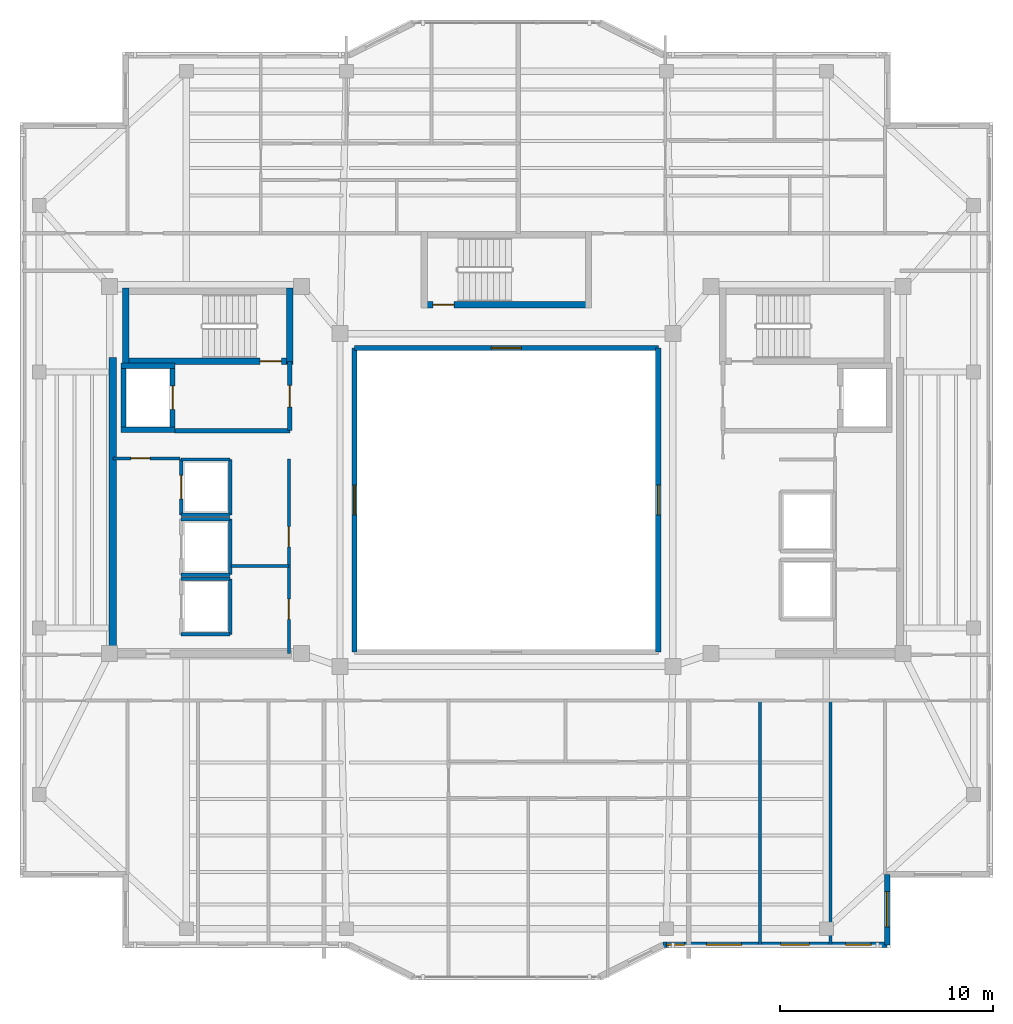
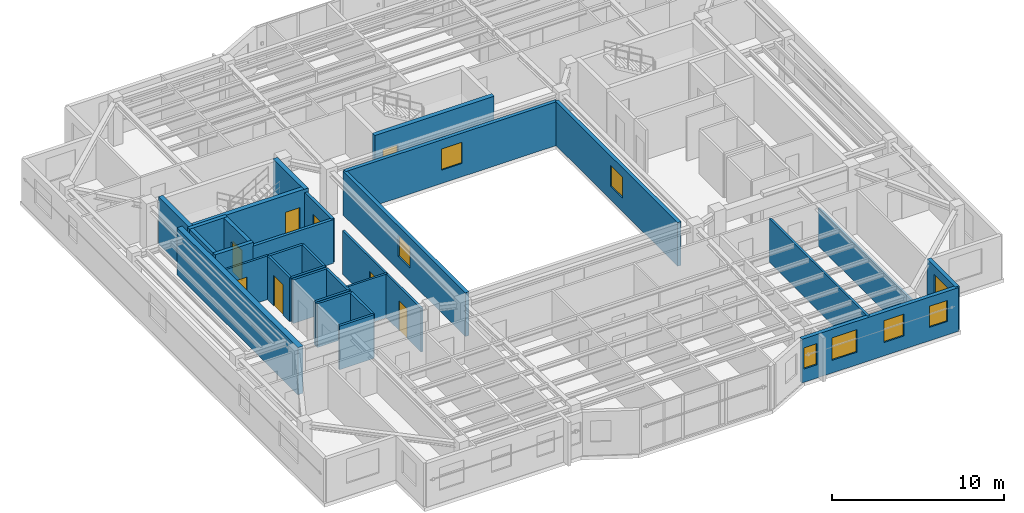
# One storey, part 7 of 13: 31 walls, 8 doors, 8 windows, 16 openings.
"""IFC4 building model written with IfcOpenShell, lengths in metres."""

from ifc_helpers import new_model, si_unit, direction, frame, frame_2d, origin, place, context, subcontext, project, spatial, rectangle, extrude, material, layer, layer_set, type_object, element, fill, save


model = new_model("IFC4")

# Units and contexts
model_context = context("Model", 3, precision=1e-05, world=origin(), true_north=direction((0.0, 1.0)))
body_context = subcontext(model_context, "Body", "Model", "MODEL_VIEW")
ifc_project = project(units=[si_unit("LENGTHUNIT", "METRE"), si_unit("AREAUNIT", "SQUARE_METRE"), si_unit("VOLUMEUNIT", "CUBIC_METRE"), si_unit("PLANEANGLEUNIT", "RADIAN"), si_unit("MASSUNIT", "GRAM", prefix="KILO")], contexts=[model_context])

# Site, building, storey
site_placement = place(None, origin())
site = spatial("IfcSite", under=ifc_project, at=site_placement, CompositionType="ELEMENT")
building_placement = place(site_placement, origin())
building = spatial("IfcBuilding", under=site, at=building_placement, Name="Tarnavaz Court Tower", CompositionType="ELEMENT")
storey_placement = place(building_placement, frame((0.0, 0.0, 251.550048828125)))
storey = spatial("IfcBuildingStorey", under=building, at=storey_placement, Name="L68", CompositionType="ELEMENT", Elevation=251.550048828125)

# Wall
ifc_material_1 = material(Name="Concrete C50/60", Category="concrete")
ifc_layer_1 = layer(ifc_material_1, 0.25)
ifc_layer_set_1 = layer_set([ifc_layer_1], Name="Concrete C50/60")
wall_type_1 = type_object("IfcWallType", Name="WL-CORE-250-C50", PredefinedType="SHEAR", material=ifc_layer_set_1)
wall_1_placement = place(storey_placement, frame((-17.949951171875, 3.175048828125, 0.0), z_axis=(0.0, 0.0, 1.0), x_axis=(0.0, 1.0, 0.0)))
element("IfcWall", 1, at=wall_1_placement, inside=storey, type_object=wall_type_1, Name="L68 Lift FL-W1 Shaft Wall 017", PredefinedType="SHEAR", context=body_context, shape_type="SweptSolid", body=[
    extrude(rectangle(XDim=3.25, YDim=0.25, at=frame_2d((1.625, 0.0))), origin(), (0.0, 0.0, 1.0), 3.349853515625),
])

# Wall, opening, door
wall_2_placement = place(storey_placement, frame((-15.64990234375, 3.175048828125, 0.0), z_axis=(0.0, 0.0, 1.0), x_axis=(0.0, 1.0, 0.0)))
wall_2 = element("IfcWall", 2, at=wall_2_placement, inside=storey, type_object=wall_type_1, Name="L68 Lift FL-W1 Shaft Wall 018", PredefinedType="SHEAR", context=body_context, shape_type="SweptSolid", body=[
    extrude(rectangle(XDim=3.25, YDim=0.25, at=frame_2d((1.625, 0.0))), origin(), (0.0, 0.0, 1.0), 3.349853515625),
])
opening_1_placement = place(wall_2_placement, frame((1.074951171875, 0.0, 0.0)))
opening_1 = element("IfcOpeningElement", 3, at=opening_1_placement, cuts=wall_2, Name="Opening LD1", PredefinedType="OPENING", context=body_context, shape_type="SweptSolid", body=[
    extrude(rectangle(XDim=1.10009765625, YDim=2.14990234375, at=frame_2d((0.550048828125, 1.074951171875))), frame((0.0, 0.135009765625, 0.0), z_axis=(0.0, -1.0, 0.0), x_axis=(1.0, 0.0, 0.0)), (0.0, 0.0, 1.0), 0.27001953125),
])
ifc_material_2 = material(Name="Stainless Steel", Category="steel")
door_type_1 = type_object("IfcDoorType", Name="DR-LD-1100", OperationType="NOTDEFINED", PredefinedType="DOOR", material=ifc_material_2)
door_1_placement = place(opening_1_placement, origin())
door_1 = element("IfcDoor", 4, at=door_1_placement, inside=storey, type_object=door_type_1, Name="L68 Lift Landing Door LD-FL-W1", OperationType="SLIDING_TO_LEFT", OverallHeight=2.14990234375, OverallWidth=1.10009765625, PredefinedType="DOOR", context=body_context, shape_type="SweptSolid", body=[
    extrude(rectangle(XDim=1.10009765625, YDim=2.14990234375, at=frame_2d((0.550048828125, 1.074951171875))), frame((0.0, 0.02490234375, 0.0), z_axis=(0.0, -1.0, 0.0), x_axis=(1.0, 0.0, 0.0)), (0.0, 0.0, 1.0), 0.050048828125),
])
fill(opening_1, door_1)

# Walls
for number, where, z_axis, x_axis, name in (
    (5, (-18.074951171875, 3.300048828125, 0.0), (0.0, 0.0, 1.0), (1.0, 0.0, 0.0), "L68 Lift FL-W1 Shaft Wall 019"),
    (6, (-18.074951171875, 6.300048828125, 0.0), (0.0, 0.0, 1.0), (1.0, 0.0, 0.0), "L68 Lift FL-W1 Shaft Wall 020"),
):
    element("IfcWall", number, at=place(storey_placement, frame(where, z_axis=z_axis, x_axis=x_axis)), inside=storey, type_object=wall_type_1, Name=name, PredefinedType="SHEAR", context=body_context, shape_type="SweptSolid", body=[
        extrude(rectangle(XDim=2.550048828125, YDim=0.25, at=frame_2d((1.27490234375, 0.0))), origin(), (0.0, 0.0, 1.0), 3.349853515625),
    ])

# Wall, opening, door
ifc_layer_2 = layer(ifc_material_1, 0.300048828125)
ifc_layer_set_2 = layer_set([ifc_layer_2], Name="Concrete C50/60")
wall_type_2 = type_object("IfcWallType", Name="WL-CORE-300-C50", PredefinedType="SHEAR", material=ifc_layer_set_2)
wall_3_placement = place(storey_placement, frame((-18.0, 6.5, 0.0), z_axis=(0.0, 0.0, 1.0), x_axis=(1.0, 0.0, 0.0)))
wall_3 = element("IfcWall", 7, at=wall_3_placement, inside=storey, type_object=wall_type_2, Name="L68 West Stair Core Wall 002", PredefinedType="SHEAR", context=body_context, shape_type="SweptSolid", body=[
    extrude(rectangle(XDim=8.0, YDim=0.300048828125, at=frame_2d((4.0, 0.0))), origin(), (0.0, 0.0, 1.0), 3.349853515625),
])
opening_2_placement = place(wall_3_placement, frame((6.449951171875, 0.0, 0.0)))
opening_2 = element("IfcOpeningElement", 8, at=opening_2_placement, cuts=wall_3, Name="Opening D01", PredefinedType="OPENING", context=body_context, shape_type="SweptSolid", body=[
    extrude(rectangle(XDim=1.0, YDim=2.14990234375, at=frame_2d((0.5, 1.074951171875))), frame((0.0, 0.159912109375, 0.0), z_axis=(0.0, -1.0, 0.0), x_axis=(1.0, 0.0, 0.0)), (0.0, 0.0, 1.0), 0.320068359375),
])
ifc_material_3 = material(Name="Fire-Rated Hardwood Timber Core", Category="wood")
door_type_2 = type_object("IfcDoorType", Name="DR-FD90-1000", OperationType="NOTDEFINED", PredefinedType="DOOR", material=ifc_material_3)
door_2_placement = place(opening_2_placement, origin())
door_2 = element("IfcDoor", 9, at=door_2_placement, inside=storey, type_object=door_type_2, Name="L68 Stair ST-W1 Exit Door", OperationType="SINGLE_SWING_LEFT", OverallHeight=2.14990234375, OverallWidth=1.0, PredefinedType="DOOR", context=body_context, shape_type="SweptSolid", body=[
    extrude(rectangle(XDim=1.0, YDim=2.14990234375, at=frame_2d((0.5, 1.074951171875))), frame((0.0, 0.02490234375, 0.0), z_axis=(0.0, -1.0, 0.0), x_axis=(1.0, 0.0, 0.0)), (0.0, 0.0, 1.0), 0.050048828125),
])
fill(opening_2, door_2)

# Walls
for number, where, z_axis, x_axis, name in (
    (10, (-17.85009765625, 6.35009765625, 0.0), (0.0, 0.0, 1.0), (0.0, 1.0, 0.0), "L68 West Stair Core Wall 003"),
    (11, (-10.14990234375, 6.35009765625, 0.0), (0.0, 0.0, 1.0), (0.0, 1.0, 0.0), "L68 West Stair Core Wall 004"),
):
    element("IfcWall", number, at=place(storey_placement, frame(where, z_axis=z_axis, x_axis=x_axis)), inside=storey, type_object=wall_type_2, Name=name, PredefinedType="SHEAR", context=body_context, shape_type="SweptSolid", body=[
        extrude(rectangle(XDim=3.58984375, YDim=0.300048828125, at=frame_2d((1.794921875, 0.0))), origin(), (0.0, 0.0, 1.0), 3.349853515625),
    ])

# Wall, opening, door
wall_4_placement = place(storey_placement, frame((-4.0, 9.14990234375, 0.0), z_axis=(0.0, 0.0, 1.0), x_axis=(1.0, 0.0, 0.0)))
wall_4 = element("IfcWall", 12, at=wall_4_placement, inside=storey, type_object=wall_type_2, Name="L68 North Stair Core Wall 010", PredefinedType="SHEAR", context=body_context, shape_type="SweptSolid", body=[
    extrude(rectangle(XDim=8.0, YDim=0.300048828125, at=frame_2d((4.0, 0.0))), origin(), (0.0, 0.0, 1.0), 3.349853515625),
])
opening_3_placement = place(wall_4_placement, frame((0.550048828125, 0.0, 0.0)))
opening_3 = element("IfcOpeningElement", 13, at=opening_3_placement, cuts=wall_4, Name="Opening D01", PredefinedType="OPENING", context=body_context, shape_type="SweptSolid", body=[
    extrude(rectangle(XDim=1.0, YDim=2.14990234375, at=frame_2d((0.5, 1.074951171875))), frame((0.0, 0.159912109375, 0.0), z_axis=(0.0, -1.0, 0.0), x_axis=(1.0, 0.0, 0.0)), (0.0, 0.0, 1.0), 0.320068359375),
])
door_3_placement = place(opening_3_placement, origin())
door_3 = element("IfcDoor", 14, at=door_3_placement, inside=storey, type_object=door_type_2, Name="L68 Stair ST-N1 Exit Door", OperationType="SINGLE_SWING_LEFT", OverallHeight=2.14990234375, OverallWidth=1.0, PredefinedType="DOOR", context=body_context, shape_type="SweptSolid", body=[
    extrude(rectangle(XDim=1.0, YDim=2.14990234375, at=frame_2d((0.5, 1.074951171875))), frame((0.0, 0.02490234375, 0.0), z_axis=(0.0, -1.0, 0.0), x_axis=(1.0, 0.0, 0.0)), (0.0, 0.0, 1.0), 0.050048828125),
])
fill(opening_3, door_3)

# Wall
ifc_layer_3 = layer(ifc_material_1, 0.35009765625)
ifc_layer_set_3 = layer_set([ifc_layer_3], Name="Concrete C50/60")
wall_type_3 = type_object("IfcWallType", Name="WL-CORE-350-C50", PredefinedType="SHEAR", material=ifc_layer_set_3)
wall_5_placement = place(storey_placement, frame((-18.449951171875, -7.375, 0.0), z_axis=(0.0, 0.0, 1.0), x_axis=(0.0, 1.0, 0.0)))
element("IfcWall", 15, at=wall_5_placement, inside=storey, type_object=wall_type_3, Name="L68 West Core Shear Wall 045", PredefinedType="SHEAR", context=body_context, shape_type="SweptSolid", body=[
    extrude(rectangle(XDim=14.050048828125, YDim=0.35009765625, at=frame_2d((7.02490234375, 0.0))), origin(), (0.0, 0.0, 1.0), 3.349853515625),
])

# Wall, opening, window
ifc_material_4 = material(Name="Precast Concrete C40/50", Category="concrete")
ifc_layer_4 = layer(ifc_material_4, 0.260009765625)
ifc_layer_set_4 = layer_set([ifc_layer_4], Name="Precast Concrete C40/50")
wall_type_4 = type_object("IfcWallType", Name="WL-EXT-260", PredefinedType="SOLIDWALL", material=ifc_layer_set_4)
wall_6_placement = place(storey_placement, frame((17.85009765625, -17.550048828125, 0.0), z_axis=(0.0, 0.0, 1.0), x_axis=(0.0, -1.0, 0.0)))
wall_6 = element("IfcWall", 16, at=wall_6_placement, inside=storey, type_object=wall_type_4, Name="L68 Exterior Terracotta Facade Wall 14", PredefinedType="SOLIDWALL", context=body_context, shape_type="SweptSolid", body=[
    extrude(rectangle(XDim=3.300048828125, YDim=0.260009765625, at=frame_2d((1.64990234375, 0.0))), origin(), (0.0, 0.0, 1.0), 3.099853515625),
])
opening_4_placement = place(wall_6_placement, frame((0.8076171875, 0.0, 0.89990234375)))
opening_4 = element("IfcOpeningElement", 17, at=opening_4_placement, cuts=wall_6, Name="Opening W02", PredefinedType="OPENING", context=body_context, shape_type="SweptSolid", body=[
    extrude(rectangle(XDim=1.64990234375, YDim=1.60009765625, at=frame_2d((0.824951171875, 0.800048828125))), frame((0.0, 0.139892578125, 0.0), z_axis=(0.0, -1.0, 0.0), x_axis=(1.0, 0.0, 0.0)), (0.0, 0.0, 1.0), 0.280029296875),
])
ifc_material_5 = material(Name="Double-Glazed Solar Low-E Glass", Category="glass")
window_type_1 = type_object("IfcWindowType", Name="WN-APT-1650", PartitioningType="DOUBLE_PANEL_VERTICAL", PredefinedType="WINDOW", material=ifc_material_5)
window_1_placement = place(opening_4_placement, origin())
window_1 = element("IfcWindow", 18, at=window_1_placement, inside=storey, type_object=window_type_1, Name="L68 Shared Community Tea Pantry Window", OverallHeight=1.60009765625, OverallWidth=1.64990234375, PartitioningType="SINGLE_PANEL", PredefinedType="WINDOW", context=body_context, shape_type="SweptSolid", body=[
    extrude(rectangle(XDim=1.64990234375, YDim=1.60009765625, at=frame_2d((0.824951171875, 0.800048828125))), frame((0.0, 0.030029296875, 0.0), z_axis=(0.0, -1.0, 0.0), x_axis=(1.0, 0.0, 0.0)), (0.0, 0.0, 1.0), 0.06005859375),
])
fill(opening_4, window_1)

# Wall, openings, windows
wall_7_placement = place(storey_placement, frame((17.85009765625, -20.85009765625, 0.0), z_axis=(0.0, 0.0, 1.0), x_axis=(-1.0, 0.0, 0.0)))
wall_7 = element("IfcWall", 19, at=wall_7_placement, inside=storey, type_object=wall_type_4, Name="L68 Exterior Terracotta Facade Wall 15", PredefinedType="SOLIDWALL", context=body_context, shape_type="SweptSolid", body=[
    extrude(rectangle(XDim=10.5, YDim=0.260009765625, at=frame_2d((5.25, 0.0))), origin(), (0.0, 0.0, 1.0), 3.099853515625),
])
opening_5_placement = place(wall_7_placement, frame((0.75, 0.0, 0.949951171875)))
opening_5 = element("IfcOpeningElement", 20, at=opening_5_placement, cuts=wall_7, Name="Opening W05", PredefinedType="OPENING", context=body_context, shape_type="SweptSolid", body=[
    extrude(rectangle(XDim=1.199951171875, YDim=1.5, at=frame_2d((0.60009765625, 0.75))), frame((0.0, 0.139892578125, 0.0), z_axis=(0.0, -1.0, 0.0), x_axis=(1.0, 0.0, 0.0)), (0.0, 0.0, 1.0), 0.280029296875),
])
opening_6_placement = place(wall_7_placement, frame((3.64990234375, 0.0, 0.949951171875)))
opening_6 = element("IfcOpeningElement", 21, at=opening_6_placement, cuts=wall_7, Name="Opening W04", PredefinedType="OPENING", context=body_context, shape_type="SweptSolid", body=[
    extrude(rectangle(XDim=1.35009765625, YDim=1.550048828125, at=frame_2d((0.675048828125, 0.77490234375))), frame((0.0, 0.139892578125, 0.0), z_axis=(0.0, -1.0, 0.0), x_axis=(1.0, 0.0, 0.0)), (0.0, 0.0, 1.0), 0.280029296875),
])
opening_7_placement = place(wall_7_placement, frame((6.824951171875, 0.0, 0.89990234375)))
opening_7 = element("IfcOpeningElement", 22, at=opening_7_placement, cuts=wall_7, Name="Opening W02", PredefinedType="OPENING", context=body_context, shape_type="SweptSolid", body=[
    extrude(rectangle(XDim=1.64990234375, YDim=1.60009765625, at=frame_2d((0.824951171875, 0.800048828125))), frame((0.0, 0.139892578125, 0.0), z_axis=(0.0, -1.0, 0.0), x_axis=(1.0, 0.0, 0.0)), (0.0, 0.0, 1.0), 0.280029296875),
])
opening_8_placement = place(wall_7_placement, frame((9.5048828125, 0.0, 0.949951171875)))
opening_8 = element("IfcOpeningElement", 23, at=opening_8_placement, cuts=wall_7, Name="Opening W15", PredefinedType="OPENING", context=body_context, shape_type="SweptSolid", body=[
    extrude(rectangle(XDim=0.85009765625, YDim=1.5, at=frame_2d((0.425048828125, 0.75))), frame((0.0, 0.139892578125, 0.0), z_axis=(0.0, -1.0, 0.0), x_axis=(1.0, 0.0, 0.0)), (0.0, 0.0, 1.0), 0.280029296875),
])
window_type_2 = type_object("IfcWindowType", Name="WN-APT-1200", PartitioningType="SINGLE_PANEL", PredefinedType="WINDOW", material=ifc_material_5)
window_2_placement = place(opening_5_placement, origin())
window_2 = element("IfcWindow", 24, at=window_2_placement, inside=storey, type_object=window_type_2, Name="L68 Shared Community Tea Pantry Window", OverallHeight=1.5, OverallWidth=1.199951171875, PartitioningType="SINGLE_PANEL", PredefinedType="WINDOW", context=body_context, shape_type="SweptSolid", body=[
    extrude(rectangle(XDim=1.199951171875, YDim=1.5, at=frame_2d((0.60009765625, 0.75))), frame((0.0, 0.030029296875, 0.0), z_axis=(0.0, -1.0, 0.0), x_axis=(1.0, 0.0, 0.0)), (0.0, 0.0, 1.0), 0.06005859375),
])
fill(opening_5, window_2)
window_type_3 = type_object("IfcWindowType", Name="WN-APT-1350", PartitioningType="SINGLE_PANEL", PredefinedType="WINDOW", material=ifc_material_5)
window_3_placement = place(opening_6_placement, origin())
window_3 = element("IfcWindow", 25, at=window_3_placement, inside=storey, type_object=window_type_3, Name="L68 Children Playroom and Daycare Window", OverallHeight=1.550048828125, OverallWidth=1.35009765625, PartitioningType="SINGLE_PANEL", PredefinedType="WINDOW", context=body_context, shape_type="SweptSolid", body=[
    extrude(rectangle(XDim=1.35009765625, YDim=1.550048828125, at=frame_2d((0.675048828125, 0.77490234375))), frame((0.0, 0.030029296875, 0.0), z_axis=(0.0, -1.0, 0.0), x_axis=(1.0, 0.0, 0.0)), (0.0, 0.0, 1.0), 0.06005859375),
])
fill(opening_6, window_3)
window_4_placement = place(opening_7_placement, origin())
window_4 = element("IfcWindow", 26, at=window_4_placement, inside=storey, type_object=window_type_1, Name="L68 Resident Fitness and Yoga Studio Window", OverallHeight=1.60009765625, OverallWidth=1.64990234375, PartitioningType="SINGLE_PANEL", PredefinedType="WINDOW", context=body_context, shape_type="SweptSolid", body=[
    extrude(rectangle(XDim=1.64990234375, YDim=1.60009765625, at=frame_2d((0.824951171875, 0.800048828125))), frame((0.0, 0.030029296875, 0.0), z_axis=(0.0, -1.0, 0.0), x_axis=(1.0, 0.0, 0.0)), (0.0, 0.0, 1.0), 0.06005859375),
])
fill(opening_7, window_4)
window_type_4 = type_object("IfcWindowType", Name="WN-APT-850", PartitioningType="SINGLE_PANEL", PredefinedType="WINDOW", material=ifc_material_5)
window_5_placement = place(opening_8_placement, origin())
window_5 = element("IfcWindow", 27, at=window_5_placement, inside=storey, type_object=window_type_4, Name="L68 Flat 03 Bedroom 3 Window", OverallHeight=1.5, OverallWidth=0.85009765625, PartitioningType="SINGLE_PANEL", PredefinedType="WINDOW", context=body_context, shape_type="SweptSolid", body=[
    extrude(rectangle(XDim=0.85009765625, YDim=1.5, at=frame_2d((0.425048828125, 0.75))), frame((0.0, 0.030029296875, 0.0), z_axis=(0.0, -1.0, 0.0), x_axis=(1.0, 0.0, 0.0)), (0.0, 0.0, 1.0), 0.06005859375),
])
fill(opening_8, window_5)

# Wall
ifc_material_6 = material(Name="Autoclaved Aerated Concrete Blockwork", Category="masonry")
ifc_layer_5 = layer(ifc_material_6, 0.199951171875)
ifc_layer_set_5 = layer_set([ifc_layer_5], Name="Autoclaved Aerated Concrete Blockwork")
wall_type_5 = type_object("IfcWallType", Name="WL-FIRE-200", PredefinedType="SOLIDWALL", material=ifc_layer_set_5)
wall_8_placement = place(storey_placement, frame((-15.550048828125, 3.25, 0.0), z_axis=(0.0, 0.0, 1.0), x_axis=(1.0, 0.0, 0.0)))
element("IfcWall", 28, at=wall_8_placement, inside=storey, type_object=wall_type_5, Name="L68 West Firefighting Lobby Wall 013", PredefinedType="SOLIDWALL", context=body_context, shape_type="SweptSolid", body=[
    extrude(rectangle(XDim=5.400146484375, YDim=0.199951171875, at=frame_2d((2.7001953125, 0.0))), origin(), (0.0, 0.0, 1.0), 3.099853515625),
])

# Wall, opening, door
wall_9_placement = place(storey_placement, frame((-10.14990234375, 3.25, 0.0), z_axis=(0.0, 0.0, 1.0), x_axis=(0.0, 1.0, 0.0)))
wall_9 = element("IfcWall", 29, at=wall_9_placement, inside=storey, type_object=wall_type_5, Name="L68 West Firefighting Lobby Wall 014", PredefinedType="SOLIDWALL", context=body_context, shape_type="SweptSolid", body=[
    extrude(rectangle(XDim=3.25, YDim=0.199951171875, at=frame_2d((1.625, 0.0))), origin(), (0.0, 0.0, 1.0), 3.099853515625),
])
opening_9_placement = place(wall_9_placement, frame((1.10009765625, 0.0, 0.0)))
opening_9 = element("IfcOpeningElement", 30, at=opening_9_placement, cuts=wall_9, Name="Opening D05", PredefinedType="OPENING", context=body_context, shape_type="SweptSolid", body=[
    extrude(rectangle(XDim=1.02001953125, YDim=2.14990234375, at=frame_2d((0.510009765625, 1.074951171875))), frame((0.0, 0.10986328125, 0.0), z_axis=(0.0, -1.0, 0.0), x_axis=(1.0, 0.0, 0.0)), (0.0, 0.0, 1.0), 0.219970703125),
])
door_type_3 = type_object("IfcDoorType", Name="DR-FD60-1000", OperationType="NOTDEFINED", PredefinedType="DOOR", material=ifc_material_3)
door_4_placement = place(opening_9_placement, origin())
door_4 = element("IfcDoor", 31, at=door_4_placement, inside=storey, type_object=door_type_3, Name="L68 West Firefighting Lobby Door", OperationType="SINGLE_SWING_RIGHT", OverallHeight=2.14990234375, OverallWidth=1.02001953125, PredefinedType="DOOR", context=body_context, shape_type="SweptSolid", body=[
    extrude(rectangle(XDim=1.02001953125, YDim=2.14990234375, at=frame_2d((0.510009765625, 1.074951171875))), frame((0.0, 0.02490234375, 0.0), z_axis=(0.0, -1.0, 0.0), x_axis=(1.0, 0.0, 0.0)), (0.0, 0.0, 1.0), 0.050048828125),
])
fill(opening_9, door_4)

ifc_material_7 = material(Name="Gypsum Plasterboard Acoustic Partition", Category="masonry")
ifc_layer_6 = layer(ifc_material_7, 0.139892578125)
ifc_layer_set_6 = layer_set([ifc_layer_6], Name="Gypsum Plasterboard Acoustic Partition")
wall_type_6 = type_object("IfcWallType", Name="WL-PART-150", PredefinedType="PARTITIONING", material=ifc_layer_set_6)
wall_10_placement = place(storey_placement, frame((-18.449951171875, 1.949951171875, 0.0), z_axis=(0.0, 0.0, 1.0), x_axis=(1.0, 0.0, 0.0)))
wall_10 = element("IfcWall", 32, at=wall_10_placement, inside=storey, type_object=wall_type_6, Name="L68 Interior Partition 049", PredefinedType="PARTITIONING", context=body_context, shape_type="SweptSolid", body=[
    extrude(rectangle(XDim=3.14990234375, YDim=0.139892578125, at=frame_2d((1.574951171875, 0.0))), origin(), (0.0, 0.0, 1.0), 3.099853515625),
])
opening_10_placement = place(wall_10_placement, frame((0.85009765625, 0.0, 0.0)))
opening_10 = element("IfcOpeningElement", 33, at=opening_10_placement, cuts=wall_10, Name="Opening D09", PredefinedType="OPENING", context=body_context, shape_type="SweptSolid", body=[
    extrude(rectangle(XDim=0.89990234375, YDim=2.080078125, at=frame_2d((0.449951171875, 1.0400390625))), frame((0.0, 0.079833984375, 0.0), z_axis=(0.0, -1.0, 0.0), x_axis=(1.0, 0.0, 0.0)), (0.0, 0.0, 1.0), 0.159912109375),
])
door_type_4 = type_object("IfcDoorType", Name="DR-FD30-900", OperationType="NOTDEFINED", PredefinedType="DOOR", material=ifc_material_3)
door_5_placement = place(opening_10_placement, origin())
door_5 = element("IfcDoor", 34, at=door_5_placement, inside=storey, type_object=door_type_4, Name="L68 West Core Electrical Room Door", OperationType="SINGLE_SWING_RIGHT", OverallHeight=2.080078125, OverallWidth=0.89990234375, PredefinedType="DOOR", context=body_context, shape_type="SweptSolid", body=[
    extrude(rectangle(XDim=0.89990234375, YDim=2.080078125, at=frame_2d((0.449951171875, 1.0400390625))), frame((0.0, 0.02490234375, 0.0), z_axis=(0.0, -1.0, 0.0), x_axis=(1.0, 0.0, 0.0)), (0.0, 0.0, 1.0), 0.050048828125),
])
fill(opening_10, door_5)

# Wall, openings, doors
wall_11_placement = place(storey_placement, frame((-10.199951171875, -7.199951171875, 0.0), z_axis=(0.0, 0.0, 1.0), x_axis=(0.0, 1.0, 0.0)))
wall_11 = element("IfcWall", 35, at=wall_11_placement, inside=storey, type_object=wall_type_6, Name="L68 West Reclaimed Core Wall 050", PredefinedType="PARTITIONING", context=body_context, shape_type="SweptSolid", body=[
    extrude(rectangle(XDim=9.119873046875, YDim=0.139892578125, at=frame_2d((4.56005859375, 0.0))), origin(), (0.0, 0.0, 1.0), 3.099853515625),
])
opening_11_placement = place(wall_11_placement, frame((1.60009765625, 0.0, 0.0)))
opening_11 = element("IfcOpeningElement", 36, at=opening_11_placement, cuts=wall_11, Name="Opening D08", PredefinedType="OPENING", context=body_context, shape_type="SweptSolid", body=[
    extrude(rectangle(XDim=0.949951171875, YDim=2.1201171875, at=frame_2d((0.47509765625, 1.06005859375))), frame((0.0, 0.079833984375, 0.0), z_axis=(0.0, -1.0, 0.0), x_axis=(1.0, 0.0, 0.0)), (0.0, 0.0, 1.0), 0.159912109375),
])
opening_12_placement = place(wall_11_placement, frame((5.0, 0.0, 0.0)))
opening_12 = element("IfcOpeningElement", 37, at=opening_12_placement, cuts=wall_11, Name="Opening D08", PredefinedType="OPENING", context=body_context, shape_type="SweptSolid", body=[
    extrude(rectangle(XDim=0.949951171875, YDim=2.1201171875, at=frame_2d((0.47509765625, 1.06005859375))), frame((0.0, 0.079833984375, 0.0), z_axis=(0.0, -1.0, 0.0), x_axis=(1.0, 0.0, 0.0)), (0.0, 0.0, 1.0), 0.159912109375),
])
door_type_5 = type_object("IfcDoorType", Name="DR-FD30-950", OperationType="NOTDEFINED", PredefinedType="DOOR", material=ifc_material_3)
door_6_placement = place(opening_11_placement, origin())
door_6 = element("IfcDoor", 38, at=door_6_placement, inside=storey, type_object=door_type_5, Name="L68 West Study Room Door", OperationType="SINGLE_SWING_LEFT", OverallHeight=2.1201171875, OverallWidth=0.949951171875, PredefinedType="DOOR", context=body_context, shape_type="SweptSolid", body=[
    extrude(rectangle(XDim=0.949951171875, YDim=2.1201171875, at=frame_2d((0.47509765625, 1.06005859375))), frame((0.0, 0.02490234375, 0.0), z_axis=(0.0, -1.0, 0.0), x_axis=(1.0, 0.0, 0.0)), (0.0, 0.0, 1.0), 0.050048828125),
])
fill(opening_11, door_6)
door_7_placement = place(opening_12_placement, origin())
door_7 = element("IfcDoor", 39, at=door_7_placement, inside=storey, type_object=door_type_5, Name="L68 West Laundry Room Door", OperationType="SINGLE_SWING_RIGHT", OverallHeight=2.1201171875, OverallWidth=0.949951171875, PredefinedType="DOOR", context=body_context, shape_type="SweptSolid", body=[
    extrude(rectangle(XDim=0.949951171875, YDim=2.1201171875, at=frame_2d((0.47509765625, 1.06005859375))), frame((0.0, 0.02490234375, 0.0), z_axis=(0.0, -1.0, 0.0), x_axis=(1.0, 0.0, 0.0)), (0.0, 0.0, 1.0), 0.050048828125),
])
fill(opening_12, door_7)

# Walls
wall_12_placement = place(storey_placement, frame((-12.89990234375, -3.10009765625, 0.0), z_axis=(0.0, 0.0, 1.0), x_axis=(1.0, 0.0, 0.0)))
element("IfcWall", 40, at=wall_12_placement, inside=storey, type_object=wall_type_6, Name="L68 Interior Partition 051", PredefinedType="PARTITIONING", context=body_context, shape_type="SweptSolid", body=[
    extrude(rectangle(XDim=2.699951171875, YDim=0.139892578125, at=frame_2d((1.35009765625, 0.0))), origin(), (0.0, 0.0, 1.0), 3.099853515625),
])
wall_13_placement = place(storey_placement, frame((11.89404296875, -20.85009765625, 0.0), z_axis=(0.0, 0.0, 1.0), x_axis=(0.0, 1.0, 0.0)))
element("IfcWall", 41, at=wall_13_placement, inside=storey, type_object=wall_type_6, Name="L68 Interior Partition 076", PredefinedType="PARTITIONING", context=body_context, shape_type="SweptSolid", body=[
    extrude(rectangle(XDim=11.4501953125, YDim=0.139892578125, at=frame_2d((5.72509765625, 0.0))), origin(), (0.0, 0.0, 1.0), 3.099853515625),
])
wall_14_placement = place(storey_placement, frame((15.18798828125, -20.85009765625, 0.0), z_axis=(0.0, 0.0, 1.0), x_axis=(0.0, 1.0, 0.0)))
element("IfcWall", 42, at=wall_14_placement, inside=storey, type_object=wall_type_6, Name="L68 Interior Partition 077", PredefinedType="PARTITIONING", context=body_context, shape_type="SweptSolid", body=[
    extrude(rectangle(XDim=11.4501953125, YDim=0.139892578125, at=frame_2d((5.72509765625, 0.0))), origin(), (0.0, 0.0, 1.0), 2.68505859375),
])
ifc_layer_7 = layer(ifc_material_6, 0.159912109375)
ifc_layer_set_7 = layer_set([ifc_layer_7], Name="Autoclaved Aerated Concrete Blockwork")
wall_type_7 = type_object("IfcWallType", Name="WL-SHAFT-150", PredefinedType="SOLIDWALL", material=ifc_layer_set_7)
wall_15_placement = place(storey_placement, frame((-12.949951171875, -6.300048828125, 0.0), z_axis=(0.0, 0.0, 1.0), x_axis=(0.0, 1.0, 0.0)))
element("IfcWall", 43, at=wall_15_placement, inside=storey, type_object=wall_type_7, Name="L68 Lift PL-H1 Shaft Wall 022", PredefinedType="SOLIDWALL", context=body_context, shape_type="SweptSolid", body=[
    extrude(rectangle(XDim=2.60009765625, YDim=0.159912109375, at=frame_2d((1.300048828125, 0.0))), origin(), (0.0, 0.0, 1.0), 3.099853515625),
])
for number, where, z_axis, x_axis, name in (
    (44, (-15.25, -6.300048828125, 0.0), (0.0, 0.0, 1.0), (1.0, 0.0, 0.0), "L68 Lift PL-H1 Shaft Wall 023"),
    (45, (-15.25, -3.699951171875, 0.0), (0.0, 0.0, 1.0), (1.0, 0.0, 0.0), "L68 Lift PL-H1 Shaft Wall 024"),
):
    element("IfcWall", number, at=place(storey_placement, frame(where, z_axis=z_axis, x_axis=x_axis)), inside=storey, type_object=wall_type_7, Name=name, PredefinedType="SOLIDWALL", context=body_context, shape_type="SweptSolid", body=[
        extrude(rectangle(XDim=2.300048828125, YDim=0.159912109375, at=frame_2d((1.14990234375, 0.0))), origin(), (0.0, 0.0, 1.0), 3.099853515625),
    ])
wall_16_placement = place(storey_placement, frame((-12.949951171875, -3.5, 0.0), z_axis=(0.0, 0.0, 1.0), x_axis=(0.0, 1.0, 0.0)))
element("IfcWall", 46, at=wall_16_placement, inside=storey, type_object=wall_type_7, Name="L68 Lift PL-H2 Shaft Wall 026", PredefinedType="SOLIDWALL", context=body_context, shape_type="SweptSolid", body=[
    extrude(rectangle(XDim=2.60009765625, YDim=0.159912109375, at=frame_2d((1.300048828125, 0.0))), origin(), (0.0, 0.0, 1.0), 3.099853515625),
])
for number, where, z_axis, x_axis, name in (
    (47, (-15.25, -3.5, 0.0), (0.0, 0.0, 1.0), (1.0, 0.0, 0.0), "L68 Lift PL-H2 Shaft Wall 027"),
    (48, (-15.25, -0.89990234375, 0.0), (0.0, 0.0, 1.0), (1.0, 0.0, 0.0), "L68 Lift PL-H2 Shaft Wall 028"),
):
    element("IfcWall", number, at=place(storey_placement, frame(where, z_axis=z_axis, x_axis=x_axis)), inside=storey, type_object=wall_type_7, Name=name, PredefinedType="SOLIDWALL", context=body_context, shape_type="SweptSolid", body=[
        extrude(rectangle(XDim=2.300048828125, YDim=0.159912109375, at=frame_2d((1.14990234375, 0.0))), origin(), (0.0, 0.0, 1.0), 3.099853515625),
    ])

# Wall, opening, door
wall_17_placement = place(storey_placement, frame((-15.25, -0.699951171875, 0.0), z_axis=(0.0, 0.0, 1.0), x_axis=(0.0, 1.0, 0.0)))
wall_17 = element("IfcWall", 49, at=wall_17_placement, inside=storey, type_object=wall_type_7, Name="L68 Lift PL-H3 Shaft Wall 029", PredefinedType="SOLIDWALL", context=body_context, shape_type="SweptSolid", body=[
    extrude(rectangle(XDim=2.599853515625, YDim=0.159912109375, at=frame_2d((1.2998046875, 0.0))), origin(), (0.0, 0.0, 1.0), 3.099853515625),
])
opening_13_placement = place(wall_17_placement, frame((0.75, 0.0, 0.0)))
opening_13 = element("IfcOpeningElement", 50, at=opening_13_placement, cuts=wall_17, Name="Opening LD1", PredefinedType="OPENING", context=body_context, shape_type="SweptSolid", body=[
    extrude(rectangle(XDim=1.10009765625, YDim=2.14990234375, at=frame_2d((0.550048828125, 1.074951171875))), frame((0.0, 0.08984375, 0.0), z_axis=(0.0, -1.0, 0.0), x_axis=(1.0, 0.0, 0.0)), (0.0, 0.0, 1.0), 0.179931640625),
])
door_8_placement = place(opening_13_placement, origin())
door_8 = element("IfcDoor", 51, at=door_8_placement, inside=storey, type_object=door_type_1, Name="L68 Lift Landing Door LD-PL-H3", OperationType="SLIDING_TO_LEFT", OverallHeight=2.14990234375, OverallWidth=1.10009765625, PredefinedType="DOOR", context=body_context, shape_type="SweptSolid", body=[
    extrude(rectangle(XDim=1.10009765625, YDim=2.14990234375, at=frame_2d((0.550048828125, 1.074951171875))), frame((0.0, 0.02490234375, 0.0), z_axis=(0.0, -1.0, 0.0), x_axis=(1.0, 0.0, 0.0)), (0.0, 0.0, 1.0), 0.050048828125),
])
fill(opening_13, door_8)

# Walls
wall_18_placement = place(storey_placement, frame((-12.949951171875, -0.699951171875, 0.0), z_axis=(0.0, 0.0, 1.0), x_axis=(0.0, 1.0, 0.0)))
element("IfcWall", 52, at=wall_18_placement, inside=storey, type_object=wall_type_7, Name="L68 Lift PL-H3 Shaft Wall 030", PredefinedType="SOLIDWALL", context=body_context, shape_type="SweptSolid", body=[
    extrude(rectangle(XDim=2.599853515625, YDim=0.159912109375, at=frame_2d((1.2998046875, 0.0))), origin(), (0.0, 0.0, 1.0), 3.099853515625),
])
for number, where, z_axis, x_axis, name in (
    (53, (-15.25, -0.699951171875, 0.0), (0.0, 0.0, 1.0), (1.0, 0.0, 0.0), "L68 Lift PL-H3 Shaft Wall 031"),
    (54, (-15.25, 1.89990234375, 0.0), (0.0, 0.0, 1.0), (1.0, 0.0, 0.0), "L68 Lift PL-H3 Shaft Wall 032"),
):
    element("IfcWall", number, at=place(storey_placement, frame(where, z_axis=z_axis, x_axis=x_axis)), inside=storey, type_object=wall_type_7, Name=name, PredefinedType="SOLIDWALL", context=body_context, shape_type="SweptSolid", body=[
        extrude(rectangle(XDim=2.300048828125, YDim=0.159912109375, at=frame_2d((1.14990234375, 0.0))), origin(), (0.0, 0.0, 1.0), 3.099853515625),
    ])

# Wall, opening, window
ifc_layer_8 = layer(ifc_material_4, 0.239990234375)
ifc_layer_set_8 = layer_set([ifc_layer_8], Name="Precast Concrete C40/50")
wall_type_8 = type_object("IfcWallType", Name="WL-WELL-240", PredefinedType="SOLIDWALL", material=ifc_layer_set_8)
wall_19_placement = place(storey_placement, frame((7.1201171875, -7.1201171875, 0.0), z_axis=(0.0, 0.0, 1.0), x_axis=(0.0, 1.0, 0.0)))
wall_19 = element("IfcWall", 55, at=wall_19_placement, inside=storey, type_object=wall_type_8, Name="L68 Badgir Light-Well Exterior Wall E", PredefinedType="SOLIDWALL", context=body_context, shape_type="SweptSolid", body=[
    extrude(rectangle(XDim=14.240234375, YDim=0.239990234375, at=frame_2d((7.1201171875, 0.0))), origin(), (0.0, 0.0, 1.0), 3.099853515625),
])
opening_14_placement = place(wall_19_placement, frame((6.419921875, 0.0, 0.949951171875)))
opening_14 = element("IfcOpeningElement", 56, at=opening_14_placement, cuts=wall_19, Name="Opening W13", PredefinedType="OPENING", context=body_context, shape_type="SweptSolid", body=[
    extrude(rectangle(XDim=1.39990234375, YDim=1.5, at=frame_2d((0.699951171875, 0.75))), frame((0.0, 0.1298828125, 0.0), z_axis=(0.0, -1.0, 0.0), x_axis=(1.0, 0.0, 0.0)), (0.0, 0.0, 1.0), 0.260009765625),
])
window_type_5 = type_object("IfcWindowType", Name="WN-WEL-1400", PartitioningType="SINGLE_PANEL", PredefinedType="WINDOW", material=ifc_material_5)
window_6_placement = place(opening_14_placement, origin())
window_6 = element("IfcWindow", 57, at=window_6_placement, inside=storey, type_object=window_type_5, Name="L68 Courtyard Gallery Window E", OverallHeight=1.5, OverallWidth=1.39990234375, PartitioningType="SINGLE_PANEL", PredefinedType="WINDOW", context=body_context, shape_type="SweptSolid", body=[
    extrude(rectangle(XDim=1.39990234375, YDim=1.5, at=frame_2d((0.699951171875, 0.75))), frame((0.0, 0.030029296875, 0.0), z_axis=(0.0, -1.0, 0.0), x_axis=(1.0, 0.0, 0.0)), (0.0, 0.0, 1.0), 0.06005859375),
])
fill(opening_14, window_6)

wall_20_placement = place(storey_placement, frame((7.1201171875, 7.1201171875, 0.0), z_axis=(0.0, 0.0, 1.0), x_axis=(-1.0, 0.0, 0.0)))
wall_20 = element("IfcWall", 58, at=wall_20_placement, inside=storey, type_object=wall_type_8, Name="L68 Badgir Light-Well Exterior Wall N", PredefinedType="SOLIDWALL", context=body_context, shape_type="SweptSolid", body=[
    extrude(rectangle(XDim=14.240234375, YDim=0.239990234375, at=frame_2d((7.1201171875, 0.0))), origin(), (0.0, 0.0, 1.0), 3.099853515625),
])
opening_15_placement = place(wall_20_placement, frame((6.419921875, 0.0, 0.949951171875)))
opening_15 = element("IfcOpeningElement", 59, at=opening_15_placement, cuts=wall_20, Name="Opening W13", PredefinedType="OPENING", context=body_context, shape_type="SweptSolid", body=[
    extrude(rectangle(XDim=1.39990234375, YDim=1.5, at=frame_2d((0.699951171875, 0.75))), frame((0.0, 0.1298828125, 0.0), z_axis=(0.0, -1.0, 0.0), x_axis=(1.0, 0.0, 0.0)), (0.0, 0.0, 1.0), 0.260009765625),
])
window_7_placement = place(opening_15_placement, origin())
window_7 = element("IfcWindow", 60, at=window_7_placement, inside=storey, type_object=window_type_5, Name="L68 Courtyard Gallery Window N", OverallHeight=1.5, OverallWidth=1.39990234375, PartitioningType="SINGLE_PANEL", PredefinedType="WINDOW", context=body_context, shape_type="SweptSolid", body=[
    extrude(rectangle(XDim=1.39990234375, YDim=1.5, at=frame_2d((0.699951171875, 0.75))), frame((0.0, 0.030029296875, 0.0), z_axis=(0.0, -1.0, 0.0), x_axis=(1.0, 0.0, 0.0)), (0.0, 0.0, 1.0), 0.06005859375),
])
fill(opening_15, window_7)

wall_21_placement = place(storey_placement, frame((-7.1201171875, 7.1201171875, 0.0), z_axis=(0.0, 0.0, 1.0), x_axis=(0.0, -1.0, 0.0)))
wall_21 = element("IfcWall", 61, at=wall_21_placement, inside=storey, type_object=wall_type_8, Name="L68 Badgir Light-Well Exterior Wall W", PredefinedType="SOLIDWALL", context=body_context, shape_type="SweptSolid", body=[
    extrude(rectangle(XDim=14.240234375, YDim=0.239990234375, at=frame_2d((7.1201171875, 0.0))), origin(), (0.0, 0.0, 1.0), 3.099853515625),
])
opening_16_placement = place(wall_21_placement, frame((6.419921875, 0.0, 0.949951171875)))
opening_16 = element("IfcOpeningElement", 62, at=opening_16_placement, cuts=wall_21, Name="Opening W13", PredefinedType="OPENING", context=body_context, shape_type="SweptSolid", body=[
    extrude(rectangle(XDim=1.39990234375, YDim=1.5, at=frame_2d((0.699951171875, 0.75))), frame((0.0, 0.1298828125, 0.0), z_axis=(0.0, -1.0, 0.0), x_axis=(1.0, 0.0, 0.0)), (0.0, 0.0, 1.0), 0.260009765625),
])
window_8_placement = place(opening_16_placement, origin())
window_8 = element("IfcWindow", 63, at=window_8_placement, inside=storey, type_object=window_type_5, Name="L68 Courtyard Gallery Window W", OverallHeight=1.5, OverallWidth=1.39990234375, PartitioningType="SINGLE_PANEL", PredefinedType="WINDOW", context=body_context, shape_type="SweptSolid", body=[
    extrude(rectangle(XDim=1.39990234375, YDim=1.5, at=frame_2d((0.699951171875, 0.75))), frame((0.0, 0.030029296875, 0.0), z_axis=(0.0, -1.0, 0.0), x_axis=(1.0, 0.0, 0.0)), (0.0, 0.0, 1.0), 0.06005859375),
])
fill(opening_16, window_8)

save(model, "model.ifc")
